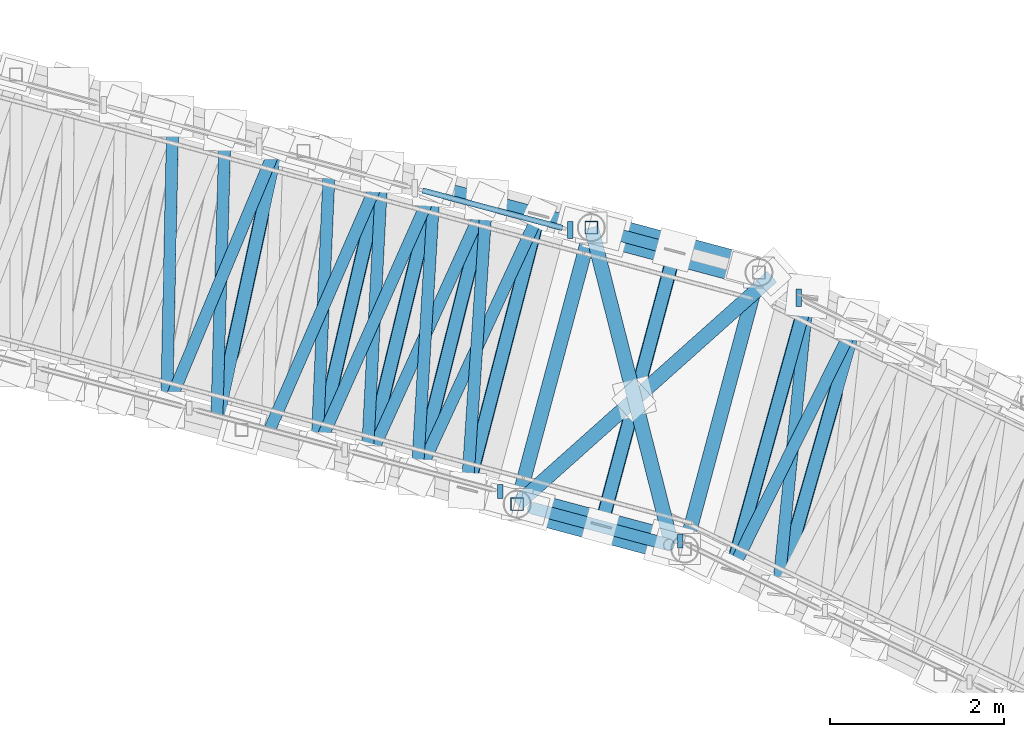
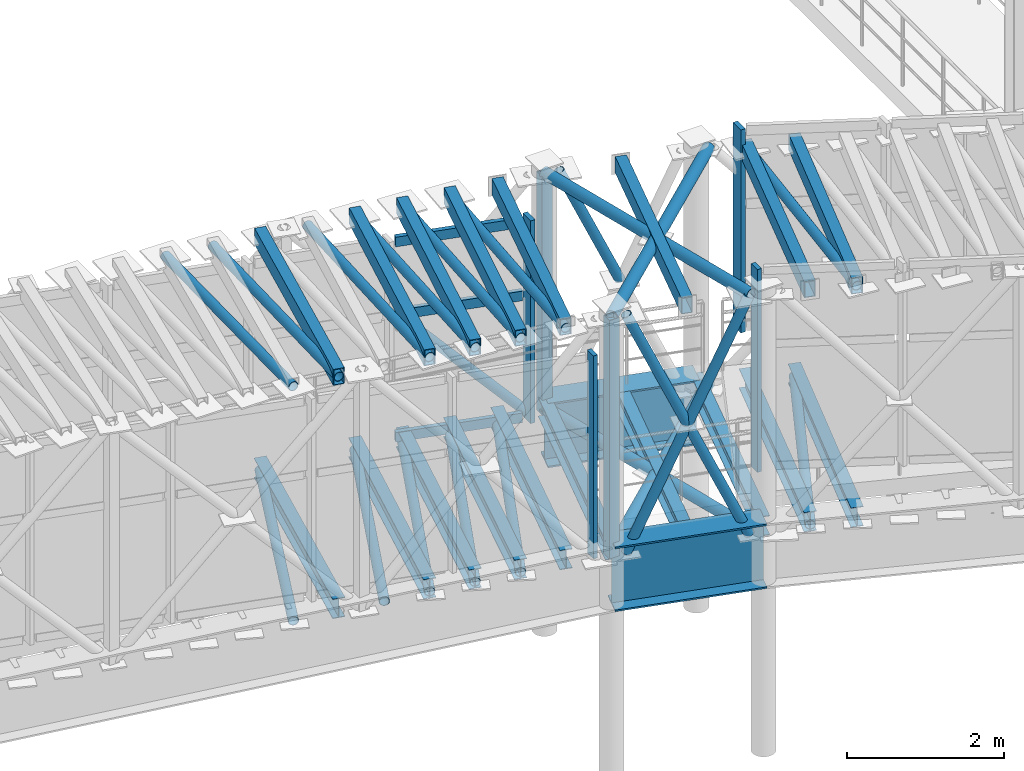
# One storey, part 64 of 144: 41 members, 12 beams, 4 elements without a shape of their own.
"""IFC4 building model written with IfcOpenShell, lengths in metres."""

from ifc_helpers import new_model, si_unit, direction, frame, origin, origin_2d, place, context, subcontext, project, spatial, rectangle, hollow_rectangle, hollow_circle, i_section, extrude, material, material_profile, profile_set, type_object, element, aggregate, save


model = new_model("IFC4")

# Units and contexts
model_context = context("Model", 3, precision=1e-05, world=origin(), true_north=direction((0.0, 1.0)))
body_context = subcontext(model_context, "Body", "Model", "MODEL_VIEW")
ifc_project = project(units=[si_unit("LENGTHUNIT", "METRE"), si_unit("AREAUNIT", "SQUARE_METRE"), si_unit("VOLUMEUNIT", "CUBIC_METRE"), si_unit("PLANEANGLEUNIT", "RADIAN"), si_unit("MASSUNIT", "GRAM", prefix="KILO")], contexts=[model_context])

# Site, building, storey
site_placement = place(None, origin())
site = spatial("IfcSite", under=ifc_project, at=site_placement, CompositionType="ELEMENT")
building_placement = place(site_placement, origin())
building = spatial("IfcBuilding", under=site, at=building_placement, Name="Cinderbank Siding Concert Hall", CompositionType="ELEMENT")
storey_placement = place(building_placement, frame((0.0, 0.0, 5.39990234375)))
storey = spatial("IfcBuildingStorey", under=building, at=storey_placement, Name="L02", CompositionType="ELEMENT", Elevation=5.39990234375)

# Beams
ifc_material_1 = material(Name="Structural steel welded plate section AS/NZS 3679.2 / AS/NZS 3678 Grade 350 (340 MPa)", Category="steel")
ifc_material_profile_1 = material_profile(ifc_material_1, i_section(OverallWidth=0.35009765625, OverallDepth=1.0, WebThickness=0.013916015625, FlangeThickness=0.02490234375, at=origin_2d()), Name="1000WB258", Category="LoadBearing")
ifc_profile_set_1 = profile_set([ifc_material_profile_1], Name="Structural steel welded plate section AS/NZS 3679.2 / AS/NZS 3678 Grade 350 (340 MPa)")
beam_type_1 = type_object("IfcBeamType", Name="BM-WB1000 1000WB258", PredefinedType="BEAM", material=ifc_profile_set_1)
beam_1_placement = place(storey_placement, frame((108.1279296875, 97.56103515625, 3.1201171875), z_axis=(0.966003594778, -0.258528634539, 0.0), x_axis=(0.258528634539, 0.966003594778, 0.0)))
element("IfcBeam", 1, at=beam_1_placement, inside=storey, type_object=beam_type_1, Name="L02 Beam BM-WB1000 #2009", PredefinedType="BEAM", context=body_context, shape_type="SweptSolid", body=[
    extrude(i_section(OverallWidth=0.35009765625, OverallDepth=1.0, WebThickness=0.013916015625, FlangeThickness=0.02490234375, at=origin_2d()), origin(), (0.0, 0.0, 1.0), 2.000244140625),
])
beam_2_placement = place(storey_placement, frame((107.27392578125, 94.3740234375, 3.1201171875), z_axis=(0.965881567284, -0.258984165501, 0.0), x_axis=(0.258984165501, 0.965881567284, 0.0)))
element("IfcBeam", 2, at=beam_2_placement, inside=storey, type_object=beam_type_1, Name="L02 Beam BM-WB1000 #2010", PredefinedType="BEAM", context=body_context, shape_type="SweptSolid", body=[
    extrude(i_section(OverallWidth=0.35009765625, OverallDepth=1.0, WebThickness=0.013916015625, FlangeThickness=0.02490234375, at=origin_2d()), origin(), (0.0, 0.0, 1.0), 2.00048828125),
])

# Members
ifc_material_2 = material(Name="Structural steel hollow section AS/NZS 1163 Grade C350L0 (350 MPa)", Category="steel")
ifc_material_profile_2 = material_profile(ifc_material_2, hollow_circle(Radius=0.06982421875, WallThickness=0.00634765625, at=origin_2d()), Name="139.7x6.4CHS", Category="LoadBearing")
ifc_profile_set_2 = profile_set([ifc_material_profile_2], Name="Structural steel hollow section AS/NZS 1163 Grade C350L0 (350 MPa)")
member_type_1 = type_object("IfcMemberType", Name="BR-CHS139 139.7x6.4CHS Roof Truss", PredefinedType="BRACE", material=ifc_profile_set_2)
member_1_placement = place(storey_placement, frame((106.387939453125, 98.02392578125, 5.1025390625), z_axis=(0.659329814195, -0.175407586647, -0.731106267693), x_axis=(0.257096502905, 0.966385734681, 0.0)))
element("IfcMember", 3, at=member_1_placement, inside=storey, type_object=member_type_1, Name="L02 Diagonal Brace BR-CHS139 #BRDL-BR-CHS139-L02-0350-S40", PredefinedType="BRACE", context=body_context, shape_type="SweptSolid", body=[
    extrude(hollow_circle(Radius=0.06982421875, WallThickness=0.00634765625, at=origin_2d()), origin(), (0.0, 0.0, 1.0), 2.360595703125),
])
member_2_placement = place(storey_placement, frame((103.304443359375, 98.84423828125, 6.7109375), z_axis=(-0.021015055672, -0.999695586475, 0.012926786822), x_axis=(0.999779122419, -0.021016811719, 0.0)))
element("IfcMember", 4, at=member_2_placement, inside=storey, type_object=member_type_1, Name="L02 Diagonal Brace BR-CHS139 #BRXR-BR-CHS139-L02-0405", PredefinedType="BRACE", context=body_context, shape_type="SweptSolid", body=[
    extrude(hollow_circle(Radius=0.06982421875, WallThickness=0.00634765625, at=origin_2d()), origin(), (0.0, 0.0, 1.0), 3.380615234375),
])
member_3_placement = place(storey_placement, frame((103.2333984375, 95.464599609375, 3.114501953125), z_axis=(0.385183272037, 0.922745930278, 0.013183136844), x_axis=(-0.922826125091, 0.385216747883, 0.0)))
element("IfcMember", 5, at=member_3_placement, inside=storey, type_object=member_type_1, Name="L02 Diagonal Brace BR-CHS139 #BRST-BR-CHS139-L02-0407", PredefinedType="BRACE", context=body_context, shape_type="SweptSolid", body=[
    extrude(hollow_circle(Radius=0.06982421875, WallThickness=0.00634765625, at=origin_2d()), origin(), (0.0, 0.0, 1.0), 3.31494140625),
])
member_4_placement = place(storey_placement, frame((103.9072265625, 98.683837890625, 6.754638671875), z_axis=(-0.028631689232, -0.999506242286, 0.012942101951), x_axis=(0.999589960453, -0.028634087409, 0.0)))
element("IfcMember", 6, at=member_4_placement, inside=storey, type_object=member_type_1, Name="L02 Diagonal Brace BR-CHS139 #BRXR-BR-CHS139-L02-0408", PredefinedType="BRACE", context=body_context, shape_type="SweptSolid", body=[
    extrude(hollow_circle(Radius=0.06982421875, WallThickness=0.00634765625, at=origin_2d()), origin(), (0.0, 0.0, 1.0), 3.376708984375),
])
member_5_placement = place(storey_placement, frame((104.387939453125, 95.153076171875, 3.201904296875), z_axis=(0.399316888119, 0.916718847546, 0.013136872445), x_axis=(-0.916797960271, 0.399351349118, 0.0)))
element("IfcMember", 7, at=member_5_placement, inside=storey, type_object=member_type_1, Name="L02 Diagonal Brace BR-CHS139 #BRST-BR-CHS139-L02-0413", PredefinedType="BRACE", context=body_context, shape_type="SweptSolid", body=[
    extrude(hollow_circle(Radius=0.06982421875, WallThickness=0.00634765625, at=origin_2d()), origin(), (0.0, 0.0, 1.0), 3.32666015625),
])
member_6_placement = place(storey_placement, frame((105.11328125, 98.363037109375, 6.841796875), z_axis=(-0.043983857536, -0.998948039529, 0.012970528005), x_axis=(0.999032078944, -0.043987557806, 0.0)))
element("IfcMember", 8, at=member_6_placement, inside=storey, type_object=member_type_1, Name="L02 Diagonal Brace BR-CHS139 #BRXR-BR-CHS139-L02-0414", PredefinedType="BRACE", context=body_context, shape_type="SweptSolid", body=[
    extrude(hollow_circle(Radius=0.06982421875, WallThickness=0.00634765625, at=origin_2d()), origin(), (0.0, 0.0, 1.0), 3.369384765625),
])
member_7_placement = place(storey_placement, frame((104.965087890625, 94.997314453125, 3.24560546875), z_axis=(0.406280261297, 0.913654421006, 0.013112904214), x_axis=(-0.91373298178, 0.406315195394, 0.0)))
element("IfcMember", 9, at=member_7_placement, inside=storey, type_object=member_type_1, Name="L02 Diagonal Brace BR-CHS139 #BRST-BR-CHS139-L02-0416", PredefinedType="BRACE", context=body_context, shape_type="SweptSolid", body=[
    extrude(hollow_circle(Radius=0.06982421875, WallThickness=0.00634765625, at=origin_2d()), origin(), (0.0, 0.0, 1.0), 3.332763671875),
])
member_8_placement = place(storey_placement, frame((105.71630859375, 98.20263671875, 6.885498046875), z_axis=(-0.05171683561, -0.998577385483, 0.012983609501), x_axis=(0.998661563276, -0.051721195222, 0.0)))
element("IfcMember", 10, at=member_8_placement, inside=storey, type_object=member_type_1, Name="L02 Diagonal Brace BR-CHS139 #BRXR-BR-CHS139-L02-0417", PredefinedType="BRACE", context=body_context, shape_type="SweptSolid", body=[
    extrude(hollow_circle(Radius=0.06982421875, WallThickness=0.00634765625, at=origin_2d()), origin(), (0.0, 0.0, 1.0), 3.365966796875),
])
member_9_placement = place(storey_placement, frame((105.542236328125, 94.841552734375, 3.289306640625), z_axis=(0.41325551383, 0.9105221008, 0.013014770252), x_axis=(-0.910599224647, 0.413290517763, 0.0)))
element("IfcMember", 11, at=member_9_placement, inside=storey, type_object=member_type_1, Name="L02 Diagonal Brace BR-CHS139 #BRST-BR-CHS139-L02-0419", PredefinedType="BRACE", context=body_context, shape_type="SweptSolid", body=[
    extrude(hollow_circle(Radius=0.06982421875, WallThickness=0.00634765625, at=origin_2d()), origin(), (0.0, 0.0, 1.0), 3.339111328125),
])
member_10_placement = place(storey_placement, frame((106.319091796875, 98.042236328125, 6.92919921875), z_axis=(-0.059385202729, -0.998150552953, 0.012995050475), x_axis=(0.998234843138, -0.059390217593, 0.0)))
element("IfcMember", 12, at=member_10_placement, inside=storey, type_object=member_type_1, Name="L02 Diagonal Brace BR-CHS139 #BRXR-BR-CHS139-L02-0420", PredefinedType="BRACE", context=body_context, shape_type="SweptSolid", body=[
    extrude(hollow_circle(Radius=0.06982421875, WallThickness=0.00634765625, at=origin_2d()), origin(), (0.0, 0.0, 1.0), 3.36279296875),
])
member_11_placement = place(storey_placement, frame((106.119384765625, 94.685546875, 3.332763671875), z_axis=(0.420091066652, 0.90738794751, 0.013061716333), x_axis=(-0.907465361434, 0.420126906777, 0.0)))
element("IfcMember", 13, at=member_11_placement, inside=storey, type_object=member_type_1, Name="L02 Diagonal Brace BR-CHS139 #BRST-BR-CHS139-L02-0422", PredefinedType="BRACE", context=body_context, shape_type="SweptSolid", body=[
    extrude(hollow_circle(Radius=0.06982421875, WallThickness=0.00634765625, at=origin_2d()), origin(), (0.0, 0.0, 1.0), 3.345703125),
])
member_12_placement = place(storey_placement, frame((106.922119140625, 97.8818359375, 6.972900390625), z_axis=(-0.067067991754, -0.997663625988, 0.013006685291), x_axis=(0.997748026001, -0.06707366555, 0.0)))
element("IfcMember", 14, at=member_12_placement, inside=storey, type_object=member_type_1, Name="L02 Diagonal Brace BR-CHS139 #BRXR-BR-CHS139-L02-0423", PredefinedType="BRACE", context=body_context, shape_type="SweptSolid", body=[
    extrude(hollow_circle(Radius=0.06982421875, WallThickness=0.00634765625, at=origin_2d()), origin(), (0.0, 0.0, 1.0), 3.35986328125),
])
member_13_placement = place(storey_placement, frame((108.3115234375, 97.511962890625, 7.090087890625), z_axis=(0.387441957269, -0.10365077197, -0.916048714435), x_axis=(0.258437536284, 0.966027970527, 0.0)))
element("IfcMember", 15, at=member_13_placement, inside=storey, type_object=member_type_1, Name="L02 Diagonal Brace BR-CHS139 #BRDL-BR-CHS139-L02-0430", PredefinedType="BRACE", context=body_context, shape_type="SweptSolid", body=[
    extrude(hollow_circle(Radius=0.06982421875, WallThickness=0.00634765625, at=origin_2d()), origin(), (0.0, 0.0, 1.0), 2.00439453125),
])
member_14_placement = place(storey_placement, frame((107.45751953125, 94.32470703125, 3.39013671875), z_axis=(0.387444769487, -0.103842451479, 0.916025816158), x_axis=(0.258881703853, 0.965909034749, 0.0)))
element("IfcMember", 16, at=member_14_placement, inside=storey, type_object=member_type_1, Name="L02 Diagonal Brace BR-CHS139 #BRDR-BR-CHS139-L02-0432", PredefinedType="BRACE", context=body_context, shape_type="SweptSolid", body=[
    extrude(hollow_circle(Radius=0.06982421875, WallThickness=0.00634765625, at=origin_2d()), origin(), (0.0, 0.0, 1.0), 4.0390625),
])
for number, where, z_axis, x_axis, name in (
    (17, (107.45751953125, 94.32470703125, 7.090087890625), (0.387437063212, -0.103771259936, -0.916037143167), (0.258720906558, 0.96595211709, 0.0), "L02 Diagonal Brace BR-CHS139 #BRDR-BR-CHS139-L02-0433"),
    (18, (108.245849609375, 94.11328125, 5.226318359375), (0.387437063212, -0.103771259936, -0.916037143167), (0.258720906558, 0.96595211709, 0.0), "L02 Diagonal Brace BR-CHS139 #BRDR-BR-CHS139-L02-0433-S46"),
):
    element("IfcMember", number, at=place(storey_placement, frame(where, z_axis=z_axis, x_axis=x_axis)), inside=storey, type_object=member_type_1, Name=name, PredefinedType="BRACE", context=body_context, shape_type="SweptSolid", body=[
        extrude(hollow_circle(Radius=0.06982421875, WallThickness=0.00634765625, at=origin_2d()), origin(), (0.0, 0.0, 1.0), 2.00439453125),
    ])
member_15_placement = place(storey_placement, frame((109.74169921875, 93.59326171875, 3.463623046875), z_axis=(0.444913910151, 0.89547202586, 0.013470837266), x_axis=(-0.895553284644, 0.444954283454, 0.0)))
element("IfcMember", 19, at=member_15_placement, inside=storey, type_object=member_type_1, Name="L02 Diagonal Brace BR-CHS139 #BRST-BR-CHS139-L02-0465", PredefinedType="BRACE", context=body_context, shape_type="SweptSolid", body=[
    extrude(hollow_circle(Radius=0.06982421875, WallThickness=0.00634765625, at=origin_2d()), origin(), (0.0, 0.0, 1.0), 3.244140625),
])
member_16_placement = place(storey_placement, frame((110.62255859375, 96.77099609375, 7.103759765625), z_axis=(-0.099901199196, -0.994917101817, 0.012637678202), x_axis=(0.994996560893, -0.099909177808, 0.0)))
element("IfcMember", 20, at=member_16_placement, inside=storey, type_object=member_type_1, Name="L02 Diagonal Brace BR-CHS139 #BRXR-BR-CHS139-L02-0466", PredefinedType="BRACE", context=body_context, shape_type="SweptSolid", body=[
    extrude(hollow_circle(Radius=0.06982421875, WallThickness=0.00634765625, at=origin_2d()), origin(), (0.0, 0.0, 1.0), 3.4580078125),
])
ifc_material_profile_3 = material_profile(ifc_material_2, hollow_circle(Radius=0.084228515625, WallThickness=0.007080078125, at=origin_2d()), Name="168.3x7.1CHS", Category="LoadBearing")
ifc_profile_set_3 = profile_set([ifc_material_profile_3], Name="Structural steel hollow section AS/NZS 1163 Grade C350L0 (350 MPa)")
member_type_2 = type_object("IfcMemberType", Name="BR-CHS168 168.3x7.1CHS Roof Truss", PredefinedType="BRACE", material=ifc_profile_set_3)
member_17_placement = place(storey_placement, frame((107.27392578125, 94.373779296875, 3.440185546875), z_axis=(0.745973971425, 0.665975100102, 0.0), x_axis=(-0.665975100102, 0.745973971425, 0.0)))
element("IfcMember", 21, at=member_17_placement, inside=storey, type_object=member_type_2, Name="L02 Diagonal Brace BR-CHS168 #BRWB-BR-CHS168-L02-0435", PredefinedType="BRACE", context=body_context, shape_type="SweptSolid", body=[
    extrude(hollow_circle(Radius=0.084228515625, WallThickness=0.007080078125, at=origin_2d()), origin(), (0.0, 0.0, 1.0), 3.936767578125),
])
member_18_placement = place(storey_placement, frame((108.1279296875, 97.561279296875, 3.440185546875), z_axis=(0.245824848956, -0.969314264641, 0.0), x_axis=(0.969314264641, 0.245824848956, 0.0)))
element("IfcMember", 22, at=member_18_placement, inside=storey, type_object=member_type_2, Name="L02 Diagonal Brace BR-CHS168 #BRWB-BR-CHS168-L02-0436", PredefinedType="BRACE", context=body_context, shape_type="SweptSolid", body=[
    extrude(hollow_circle(Radius=0.084228515625, WallThickness=0.007080078125, at=origin_2d()), origin(), (0.0, 0.0, 1.0), 2.025146484375),
])
member_19_placement = place(storey_placement, frame((108.633056640625, 95.5693359375, 3.440185546875), z_axis=(0.245778650662, -0.969325979678, 0.0), x_axis=(0.969325979678, 0.245778650662, 0.0)))
element("IfcMember", 23, at=member_19_placement, inside=storey, type_object=member_type_2, Name="L02 Diagonal Brace BR-CHS168 #BRWB-BR-CHS168-L02-0436-S47", PredefinedType="BRACE", context=body_context, shape_type="SweptSolid", body=[
    extrude(hollow_circle(Radius=0.084228515625, WallThickness=0.007080078125, at=origin_2d()), origin(), (0.0, 0.0, 1.0), 1.717529296875),
])
member_20_placement = place(storey_placement, frame((108.1279296875, 97.561279296875, 7.090087890625), z_axis=(0.245792918317, -0.969322361913, 0.0), x_axis=(0.969322361913, 0.245792918317, 0.0)))
element("IfcMember", 24, at=member_20_placement, inside=storey, type_object=member_type_2, Name="L02 Diagonal Brace BR-CHS168 #BRWB-BR-CHS168-L02-0437", PredefinedType="BRACE", context=body_context, shape_type="SweptSolid", body=[
    extrude(hollow_circle(Radius=0.084228515625, WallThickness=0.007080078125, at=origin_2d()), origin(), (0.0, 0.0, 1.0), 3.7724609375),
])
member_21_placement = place(storey_placement, frame((107.27392578125, 94.373779296875, 7.090087890625), z_axis=(0.746009777728, 0.665934990471, 0.0), x_axis=(-0.665934990471, 0.746009777728, 0.0)))
element("IfcMember", 25, at=member_21_placement, inside=storey, type_object=member_type_2, Name="L02 Diagonal Brace BR-CHS168 #BRWB-BR-CHS168-L02-0438", PredefinedType="BRACE", context=body_context, shape_type="SweptSolid", body=[
    extrude(hollow_circle(Radius=0.084228515625, WallThickness=0.007080078125, at=origin_2d()), origin(), (0.0, 0.0, 1.0), 1.802001953125),
])
member_22_placement = place(storey_placement, frame((108.640380859375, 95.59375, 7.090087890625), z_axis=(0.745987048038, 0.665960452399, 0.0), x_axis=(-0.665960452399, 0.745987048038, 0.0)))
element("IfcMember", 26, at=member_22_placement, inside=storey, type_object=member_type_2, Name="L02 Diagonal Brace BR-CHS168 #BRWB-BR-CHS168-L02-0438-S48", PredefinedType="BRACE", context=body_context, shape_type="SweptSolid", body=[
    extrude(hollow_circle(Radius=0.084228515625, WallThickness=0.007080078125, at=origin_2d()), origin(), (0.0, 0.0, 1.0), 2.10498046875),
])
ifc_material_profile_4 = material_profile(ifc_material_2, hollow_rectangle(XDim=0.14990234375, YDim=0.14990234375, WallThickness=0.008056640625, at=origin_2d()), Name="150x150x8.0SHS", Category="LoadBearing")
ifc_profile_set_4 = profile_set([ifc_material_profile_4], Name="Structural steel hollow section AS/NZS 1163 Grade C350L0 (350 MPa)")
member_type_3 = type_object("IfcMemberType", Name="BR-SHS150 150x150x8.0SHS Roof Truss", PredefinedType="BRACE", material=ifc_profile_set_4)
for number, where, z_axis, x_axis, name in (
    (27, (108.1279296875, 97.56103515625, 3.39013671875), (0.0, 0.0, 1.0), (1.0, 0.0, 0.0), "L02 Diagonal Brace BR-SHS150 #BRVL-BR-SHS150-L02-0428"),
    (28, (107.27392578125, 94.3740234375, 3.39013671875), (0.0, 0.0, 1.0), (1.0, 0.0, 0.0), "L02 Diagonal Brace BR-SHS150 #BRVR-BR-SHS150-L02-0431"),
):
    element("IfcMember", number, at=place(storey_placement, frame(where, z_axis=z_axis, x_axis=x_axis)), inside=storey, type_object=member_type_3, Name=name, PredefinedType="BRACE", context=body_context, shape_type="SweptSolid", body=[
        extrude(hollow_rectangle(XDim=0.14990234375, YDim=0.14990234375, WallThickness=0.008056640625, at=origin_2d()), origin(), (0.0, 0.0, 1.0), 3.699951171875),
    ])

# Curtain wall, member
ifc_material_3 = material(Name="Anodised aluminium alloy 6063-T6", Category="aluminium")
curtain_wall_type = type_object("IfcCurtainWallType", Name="CW-15 Unitised Acoustic Curtain Wall 12800x3200", PredefinedType="NOTDEFINED", material=ifc_material_3)
curtain_wall_1_placement = place(storey_placement, origin())
curtain_wall_1 = element("IfcCurtainWall", 29, at=curtain_wall_1_placement, inside=storey, type_object=curtain_wall_type, Name="L02 Curtain Wall CW-15 #160", PredefinedType="NOTDEFINED")
ifc_material_profile_5 = material_profile(ifc_material_3, rectangle(XDim=0.06005859375, YDim=0.159912109375, at=origin_2d()), Name="ALU-MULL-60x160", Category="LoadBearing")
ifc_profile_set_5 = profile_set([ifc_material_profile_5], Name="Anodised aluminium alloy 6063-T6")
member_type_4 = type_object("IfcMemberType", Name="CW-ML1 Mullion 60x160", PredefinedType="MULLION", material=ifc_profile_set_5)
member_23_placement = place(storey_placement, frame((107.077880859375, 94.51953125, 3.360107421875), z_axis=(0.0, 0.0, 1.0), x_axis=(1.0, 0.0, 0.0)))
member_23 = element("IfcMember", 30, at=member_23_placement, type_object=member_type_4, Name="CW-L02-160 Mullion 7", PredefinedType="MULLION", context=body_context, shape_type="SweptSolid", body=[
    extrude(rectangle(XDim=0.06005859375, YDim=0.159912109375, at=origin_2d()), origin(), (0.0, 0.0, 1.0), 3.14990234375),
])
aggregate(curtain_wall_1, [member_23])

curtain_wall_2_placement = place(storey_placement, origin())
curtain_wall_2 = element("IfcCurtainWall", 31, at=curtain_wall_2_placement, inside=storey, type_object=curtain_wall_type, Name="L02 Curtain Wall CW-15 #162", PredefinedType="NOTDEFINED")
member_24_placement = place(storey_placement, frame((109.153076171875, 93.948486328125, 4.320068359375), z_axis=(0.0, 0.0, 1.0), x_axis=(1.0, 0.0, 0.0)))
member_24 = element("IfcMember", 32, at=member_24_placement, type_object=member_type_4, Name="CW-L02-162 Mullion 0", PredefinedType="MULLION", context=body_context, shape_type="SweptSolid", body=[
    extrude(rectangle(XDim=0.06005859375, YDim=0.159912109375, at=origin_2d()), origin(), (0.0, 0.0, 1.0), 3.150146484375),
])
aggregate(curtain_wall_2, [member_24])

curtain_wall_3_placement = place(storey_placement, origin())
curtain_wall_3 = element("IfcCurtainWall", 33, at=curtain_wall_3_placement, inside=storey, type_object=curtain_wall_type, Name="L02 Curtain Wall CW-15 #159", PredefinedType="NOTDEFINED")
ifc_material_profile_6 = material_profile(ifc_material_3, rectangle(XDim=0.06494140625, YDim=0.199951171875, at=origin_2d()), Name="ALU-MULL-65x200", Category="LoadBearing")
ifc_profile_set_6 = profile_set([ifc_material_profile_6], Name="Anodised aluminium alloy 6063-T6")
member_type_5 = type_object("IfcMemberType", Name="CW-ML2 Mullion 65x200", PredefinedType="MULLION", material=ifc_profile_set_6)
member_25_placement = place(storey_placement, frame((107.885498046875, 97.533203125, 3.360107421875), z_axis=(0.0, 0.0, 1.0), x_axis=(1.0, 0.0, 0.0)))
member_25 = element("IfcMember", 34, at=member_25_placement, type_object=member_type_5, Name="CW-L02-159 Mullion 7", PredefinedType="MULLION", context=body_context, shape_type="SweptSolid", body=[
    extrude(rectangle(XDim=0.06494140625, YDim=0.199951171875, at=origin_2d()), origin(), (0.0, 0.0, 1.0), 3.14990234375),
])

curtain_wall_4_placement = place(storey_placement, origin())
curtain_wall_4 = element("IfcCurtainWall", 35, at=curtain_wall_4_placement, inside=storey, type_object=curtain_wall_type, Name="L02 Curtain Wall CW-15 #161", PredefinedType="NOTDEFINED")
member_26_placement = place(storey_placement, frame((110.520751953125, 96.752685546875, 4.320068359375), z_axis=(0.0, 0.0, 1.0), x_axis=(1.0, 0.0, 0.0)))
member_26 = element("IfcMember", 36, at=member_26_placement, type_object=member_type_5, Name="CW-L02-161 Mullion 0", PredefinedType="MULLION", context=body_context, shape_type="SweptSolid", body=[
    extrude(rectangle(XDim=0.06494140625, YDim=0.199951171875, at=origin_2d()), origin(), (0.0, 0.0, 1.0), 3.150146484375),
])
aggregate(curtain_wall_4, [member_26])

# Member
ifc_material_profile_7 = material_profile(ifc_material_3, rectangle(XDim=0.06494140625, YDim=0.14990234375, at=origin_2d()), Name="ALU-TRAN-65x150", Category="LoadBearing")
ifc_profile_set_7 = profile_set([ifc_material_profile_7], Name="Anodised aluminium alloy 6063-T6")
member_type_6 = type_object("IfcMemberType", Name="CW-TR2 Transom 65x150", PredefinedType="USERDEFINED", material=ifc_profile_set_7)
member_27_placement = place(storey_placement, frame((106.18310546875, 97.9892578125, 3.420166015625), z_axis=(0.965928471546, -0.258809172667, 0.0), x_axis=(0.258809172667, 0.965928471546, 0.0)))
member_27 = element("IfcMember", 37, at=member_27_placement, type_object=member_type_6, Name="CW-L02-159 Transom 6-0", ObjectType="TRANSOM", PredefinedType="USERDEFINED", context=body_context, shape_type="SweptSolid", body=[
    extrude(rectangle(XDim=0.06494140625, YDim=0.14990234375, at=origin_2d()), origin(), (0.0, 0.0, 1.0), 1.669677734375),
])

member_28_placement = place(storey_placement, frame((106.18310546875, 97.9892578125, 5.31298828125), z_axis=(0.965928471546, -0.258809172667, 0.0), x_axis=(0.258809172667, 0.965928471546, 0.0)))
member_28 = element("IfcMember", 38, at=member_28_placement, type_object=member_type_6, Name="CW-L02-159 Transom 6-1", ObjectType="TRANSOM", PredefinedType="USERDEFINED", context=body_context, shape_type="SweptSolid", body=[
    extrude(rectangle(XDim=0.06494140625, YDim=0.14990234375, at=origin_2d()), origin(), (0.0, 0.0, 1.0), 1.669677734375),
])

member_29_placement = place(storey_placement, frame((106.18310546875, 97.9892578125, 6.4501953125), z_axis=(0.965928471546, -0.258809172667, 0.0), x_axis=(0.258809172667, 0.965928471546, 0.0)))
member_29 = element("IfcMember", 39, at=member_29_placement, type_object=member_type_6, Name="CW-L02-159 Transom 6-2", ObjectType="TRANSOM", PredefinedType="USERDEFINED", context=body_context, shape_type="SweptSolid", body=[
    extrude(rectangle(XDim=0.06494140625, YDim=0.14990234375, at=origin_2d()), origin(), (0.0, 0.0, 1.0), 1.669677734375),
])

aggregate(curtain_wall_3, [member_25, member_27, member_28, member_29])

# Beams
ifc_material_4 = material(Name="Structural steel AS/NZS 3679.1 Grade 350 (340 MPa)", Category="steel")
ifc_material_profile_8 = material_profile(ifc_material_4, i_section(OverallWidth=0.1650390625, OverallDepth=0.303955078125, WebThickness=0.006103515625, FlangeThickness=0.01025390625, at=origin_2d()), Name="310UB40.4", Category="LoadBearing")
ifc_profile_set_8 = profile_set([ifc_material_profile_8], Name="Structural steel AS/NZS 3679.1 Grade 350 (340 MPa)")
beam_type_2 = type_object("IfcBeamType", Name="JS-UB310 310UB40.4", PredefinedType="JOIST", material=ifc_profile_set_8)
beam_3_placement = place(storey_placement, frame((103.810546875, 95.308837890625, 3.206298828125), z_axis=(0.212685352856, 0.977120740073, 0.0), x_axis=(-0.977120740073, 0.212685352856, 0.0)))
element("IfcBeam", 40, at=beam_3_placement, inside=storey, type_object=beam_type_2, Name="L02 Beam JS-UB310 #2002", PredefinedType="JOIST", context=body_context, shape_type="SweptSolid", body=[
    extrude(i_section(OverallWidth=0.1650390625, OverallDepth=0.303955078125, WebThickness=0.006103515625, FlangeThickness=0.01025390625, at=origin_2d()), origin(), (0.0, 0.0, 1.0), 3.289794921875),
])
beam_4_placement = place(storey_placement, frame((104.965087890625, 94.997314453125, 3.293701171875), z_axis=(0.228183634121, 0.973618112567, 0.0), x_axis=(-0.973618112567, 0.228183634121, 0.0)))
element("IfcBeam", 41, at=beam_4_placement, inside=storey, type_object=beam_type_2, Name="L02 Beam JS-UB310 #2004", PredefinedType="JOIST", context=body_context, shape_type="SweptSolid", body=[
    extrude(i_section(OverallWidth=0.1650390625, OverallDepth=0.303955078125, WebThickness=0.006103515625, FlangeThickness=0.01025390625, at=origin_2d()), origin(), (0.0, 0.0, 1.0), 3.292236328125),
])
beam_5_placement = place(storey_placement, frame((105.542236328125, 94.841552734375, 3.337158203125), z_axis=(0.235867331381, 0.971785265368, 0.0), x_axis=(-0.971785265368, 0.235867331381, 0.0)))
element("IfcBeam", 42, at=beam_5_placement, inside=storey, type_object=beam_type_2, Name="L02 Beam JS-UB310 #2005", PredefinedType="JOIST", context=body_context, shape_type="SweptSolid", body=[
    extrude(i_section(OverallWidth=0.1650390625, OverallDepth=0.303955078125, WebThickness=0.006103515625, FlangeThickness=0.01025390625, at=origin_2d()), origin(), (0.0, 0.0, 1.0), 3.293701171875),
])
beam_6_placement = place(storey_placement, frame((106.119384765625, 94.685546875, 3.380859375), z_axis=(0.243581346472, 0.969880470806, 0.0), x_axis=(-0.969880470806, 0.243581346472, 0.0)))
element("IfcBeam", 43, at=beam_6_placement, inside=storey, type_object=beam_type_2, Name="L02 Beam JS-UB310 #2006", PredefinedType="JOIST", context=body_context, shape_type="SweptSolid", body=[
    extrude(i_section(OverallWidth=0.1650390625, OverallDepth=0.303955078125, WebThickness=0.006103515625, FlangeThickness=0.01025390625, at=origin_2d()), origin(), (0.0, 0.0, 1.0), 3.295654296875),
])
beam_7_placement = place(storey_placement, frame((106.69677734375, 94.52978515625, 3.424560546875), z_axis=(0.251149732937, 0.967948248434, 0.0), x_axis=(-0.967948248434, 0.251149732937, 0.0)))
element("IfcBeam", 44, at=beam_7_placement, inside=storey, type_object=beam_type_2, Name="L02 Beam JS-UB310 #2007", PredefinedType="JOIST", context=body_context, shape_type="SweptSolid", body=[
    extrude(i_section(OverallWidth=0.1650390625, OverallDepth=0.303955078125, WebThickness=0.006103515625, FlangeThickness=0.01025390625, at=origin_2d()), origin(), (0.0, 0.0, 1.0), 3.29736328125),
])
beam_8_placement = place(storey_placement, frame((107.27392578125, 94.3740234375, 3.468017578125), z_axis=(0.258832247981, 0.965922288492, 0.0), x_axis=(-0.965922288492, 0.258832247981, 0.0)))
element("IfcBeam", 45, at=beam_8_placement, inside=storey, type_object=beam_type_2, Name="L02 Beam JS-UB310 #2008", PredefinedType="JOIST", context=body_context, shape_type="SweptSolid", body=[
    extrude(i_section(OverallWidth=0.1650390625, OverallDepth=0.303955078125, WebThickness=0.006103515625, FlangeThickness=0.01025390625, at=origin_2d()), origin(), (0.0, 0.0, 1.0), 3.299560546875),
])
beam_9_placement = place(storey_placement, frame((108.239990234375, 94.114990234375, 3.468017578125), z_axis=(0.258795254151, 0.965932200741, 0.0), x_axis=(-0.965932200741, 0.258795254151, 0.0)))
element("IfcBeam", 46, at=beam_9_placement, inside=storey, type_object=beam_type_2, Name="L02 Beam JS-UB310 #2011", PredefinedType="JOIST", context=body_context, shape_type="SweptSolid", body=[
    extrude(i_section(OverallWidth=0.1650390625, OverallDepth=0.303955078125, WebThickness=0.006103515625, FlangeThickness=0.01025390625, at=origin_2d()), origin(), (0.0, 0.0, 1.0), 3.2998046875),
])
beam_10_placement = place(storey_placement, frame((109.2060546875, 93.85595703125, 3.468017578125), z_axis=(0.258758270515, 0.965942108742, 0.0), x_axis=(-0.965942108742, 0.258758270515, 0.0)))
element("IfcBeam", 47, at=beam_10_placement, inside=storey, type_object=beam_type_2, Name="L02 Beam JS-UB310 #2012", PredefinedType="JOIST", context=body_context, shape_type="SweptSolid", body=[
    extrude(i_section(OverallWidth=0.1650390625, OverallDepth=0.303955078125, WebThickness=0.006103515625, FlangeThickness=0.01025390625, at=origin_2d()), origin(), (0.0, 0.0, 1.0), 3.30029296875),
])
beam_11_placement = place(storey_placement, frame((109.74169921875, 93.59326171875, 3.51171875), z_axis=(0.267124507131, 0.963662024618, 0.0), x_axis=(-0.963662024618, 0.267124507131, 0.0)))
element("IfcBeam", 48, at=beam_11_placement, inside=storey, type_object=beam_type_2, Name="L02 Beam JS-UB310 #2015", PredefinedType="JOIST", context=body_context, shape_type="SweptSolid", body=[
    extrude(i_section(OverallWidth=0.1650390625, OverallDepth=0.303955078125, WebThickness=0.006103515625, FlangeThickness=0.01025390625, at=origin_2d()), origin(), (0.0, 0.0, 1.0), 3.297607421875),
])
beam_12_placement = place(storey_placement, frame((110.277099609375, 93.33056640625, 3.555419921875), z_axis=(0.275533201915, 0.961291555483, 0.0), x_axis=(-0.961291555483, 0.275533201915, 0.0)))
element("IfcBeam", 49, at=beam_12_placement, inside=storey, type_object=beam_type_2, Name="L02 Beam JS-UB310 #2016", PredefinedType="JOIST", context=body_context, shape_type="SweptSolid", body=[
    extrude(i_section(OverallWidth=0.1650390625, OverallDepth=0.303955078125, WebThickness=0.006103515625, FlangeThickness=0.01025390625, at=origin_2d()), origin(), (0.0, 0.0, 1.0), 3.295166015625),
])

# Members
ifc_material_profile_9 = material_profile(ifc_material_2, hollow_rectangle(XDim=0.14990234375, YDim=0.25, WallThickness=0.009033203125, at=origin_2d()), Name="250x150x9.0RHS", Category="LoadBearing")
ifc_profile_set_9 = profile_set([ifc_material_profile_9], Name="Structural steel hollow section AS/NZS 1163 Grade C350L0 (350 MPa)")
member_type_7 = type_object("IfcMemberType", Name="PR-RHS250 250x150x9.0RHS Roof Truss", PredefinedType="PURLIN", material=ifc_profile_set_9)
member_30_placement = place(storey_placement, frame((103.810546875, 95.308837890625, 6.79833984375), z_axis=(0.212685352856, 0.977120740073, 0.0), x_axis=(-0.977120740073, 0.212685352856, 0.0)))
element("IfcMember", 50, at=member_30_placement, inside=storey, type_object=member_type_7, Name="L02 Roof Truss Member PR-RHS250 #406", PredefinedType="PURLIN", context=body_context, shape_type="SweptSolid", body=[
    extrude(hollow_rectangle(XDim=0.14990234375, YDim=0.25, WallThickness=0.009033203125, at=origin_2d()), origin(), (0.0, 0.0, 1.0), 3.289794921875),
])
member_31_placement = place(storey_placement, frame((104.965087890625, 94.997314453125, 6.885498046875), z_axis=(0.228183634121, 0.973618112567, 0.0), x_axis=(-0.973618112567, 0.228183634121, 0.0)))
element("IfcMember", 51, at=member_31_placement, inside=storey, type_object=member_type_7, Name="L02 Roof Truss Member PR-RHS250 #412", PredefinedType="PURLIN", context=body_context, shape_type="SweptSolid", body=[
    extrude(hollow_rectangle(XDim=0.14990234375, YDim=0.25, WallThickness=0.009033203125, at=origin_2d()), origin(), (0.0, 0.0, 1.0), 3.292236328125),
])
member_32_placement = place(storey_placement, frame((105.542236328125, 94.841552734375, 6.92919921875), z_axis=(0.235867331381, 0.971785265368, 0.0), x_axis=(-0.971785265368, 0.235867331381, 0.0)))
element("IfcMember", 52, at=member_32_placement, inside=storey, type_object=member_type_7, Name="L02 Roof Truss Member PR-RHS250 #415", PredefinedType="PURLIN", context=body_context, shape_type="SweptSolid", body=[
    extrude(hollow_rectangle(XDim=0.14990234375, YDim=0.25, WallThickness=0.009033203125, at=origin_2d()), origin(), (0.0, 0.0, 1.0), 3.293701171875),
])
member_33_placement = place(storey_placement, frame((106.119384765625, 94.685546875, 6.972900390625), z_axis=(0.243581346472, 0.969880470806, 0.0), x_axis=(-0.969880470806, 0.243581346472, 0.0)))
element("IfcMember", 53, at=member_33_placement, inside=storey, type_object=member_type_7, Name="L02 Roof Truss Member PR-RHS250 #418", PredefinedType="PURLIN", context=body_context, shape_type="SweptSolid", body=[
    extrude(hollow_rectangle(XDim=0.14990234375, YDim=0.25, WallThickness=0.009033203125, at=origin_2d()), origin(), (0.0, 0.0, 1.0), 3.295654296875),
])
member_34_placement = place(storey_placement, frame((106.703125, 94.553955078125, 7.0166015625), z_axis=(0.251176096526, 0.967941407593, 0.0), x_axis=(-0.967941407593, 0.251176096526, 0.0)))
element("IfcMember", 54, at=member_34_placement, inside=storey, type_object=member_type_7, Name="L02 Roof Truss Member PR-RHS250 #421", PredefinedType="PURLIN", context=body_context, shape_type="SweptSolid", body=[
    extrude(hollow_rectangle(XDim=0.14990234375, YDim=0.25, WallThickness=0.009033203125, at=origin_2d()), origin(), (0.0, 0.0, 1.0), 3.247314453125),
])
member_35_placement = place(storey_placement, frame((108.24658203125, 94.13916015625, 7.06005859375), z_axis=(0.258728575007, 0.965950063137, 0.0), x_axis=(-0.965950063137, 0.258728575007, 0.0)))
element("IfcMember", 55, at=member_35_placement, inside=storey, type_object=member_type_7, Name="L02 Roof Truss Member PR-RHS250 #434", PredefinedType="PURLIN", context=body_context, shape_type="SweptSolid", body=[
    extrude(hollow_rectangle(XDim=0.14990234375, YDim=0.25, WallThickness=0.009033203125, at=origin_2d()), origin(), (0.0, 0.0, 1.0), 3.249755859375),
])
member_36_placement = place(storey_placement, frame((109.748291015625, 93.6171875, 7.103759765625), z_axis=(0.2671475893, 0.963655626005, 0.0), x_axis=(-0.963655626005, 0.2671475893, 0.0)))
element("IfcMember", 56, at=member_36_placement, inside=storey, type_object=member_type_7, Name="L02 Roof Truss Member PR-RHS250 #463", PredefinedType="PURLIN", context=body_context, shape_type="SweptSolid", body=[
    extrude(hollow_rectangle(XDim=0.14990234375, YDim=0.25, WallThickness=0.009033203125, at=origin_2d()), origin(), (0.0, 0.0, 1.0), 3.248046875),
])
member_37_placement = place(storey_placement, frame((110.277099609375, 93.33056640625, 7.1474609375), z_axis=(0.275533201915, 0.961291555483, 0.0), x_axis=(-0.961291555483, 0.275533201915, 0.0)))
element("IfcMember", 57, at=member_37_placement, inside=storey, type_object=member_type_7, Name="L02 Roof Truss Member PR-RHS250 #464", PredefinedType="PURLIN", context=body_context, shape_type="SweptSolid", body=[
    extrude(hollow_rectangle(XDim=0.14990234375, YDim=0.25, WallThickness=0.009033203125, at=origin_2d()), origin(), (0.0, 0.0, 1.0), 3.295166015625),
])

save(model, "model.ifc")
